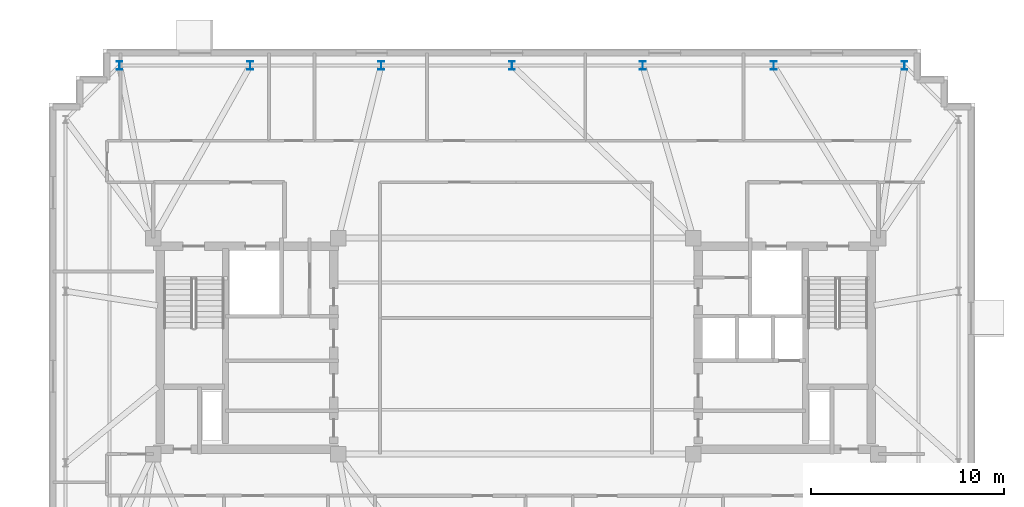
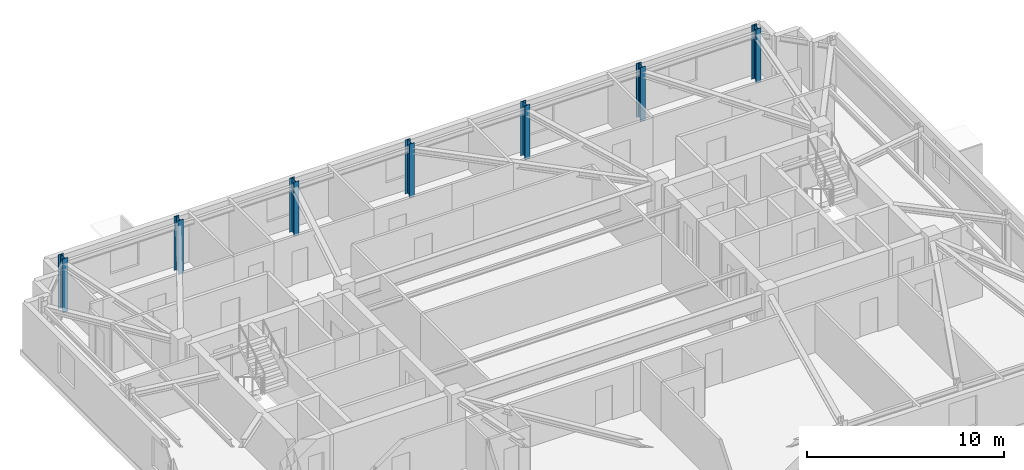
# One storey, part 3 of 11: 7 columns.
"""IFC4 building model written with IfcOpenShell, lengths in metres."""

import ifcopenshell
import ifcopenshell.guid

model = None  # the IFC model being written
_history = None  # IfcOwnerHistory: only IFC2X3 demands one
_inside = {}  # id of a spatial element -> (the spatial element, [elements in it])
_under = {}  # id of a project, library or spatial element -> (it, [spatial elements below it])
_declared = {}  # id of a project -> (the project, [libraries it declares])
_typed = {}  # id of a type object -> (the type object, [elements of that type])
_made_of = {}  # id of a material, layer set ... -> (it, [elements and type objects made of it])


def new_model(schema):
    """Start an empty IFC model of exactly this schema.

    Asked for "IFC4X3", IfcOpenShell would pick the latest addendum, in which some entities
    have other attributes; the version numbers below select the first issue.
    IFC2X3 requires an IfcOwnerHistory on every rooted entity: one is made here for all.
    """
    global model, _history
    if schema == "IFC4X3":
        model = ifcopenshell.file(schema_version=(4, 3, 0, 0))
    else:
        model = ifcopenshell.file(schema=schema)
    _inside.clear()
    _under.clear()
    _declared.clear()
    _typed.clear()
    _made_of.clear()
    _history = None
    if model.schema == "IFC2X3":
        org = make("IfcOrganization", Name="unknown")
        user = make(
            "IfcPersonAndOrganization",
            ThePerson=make("IfcPerson", FamilyName="unknown"),
            TheOrganization=org,
        )
        app = make(
            "IfcApplication",
            ApplicationDeveloper=org,
            Version="unknown",
            ApplicationFullName="unknown",
            ApplicationIdentifier="unknown",
        )
        _history = make(
            "IfcOwnerHistory",
            OwningUser=user,
            OwningApplication=app,
            ChangeAction="ADDED",
            CreationDate=0,
        )
    return model


def make(cls, **values):
    """One entity of the class cls with the attributes given. An attribute that is None is left unset."""
    return model.create_entity(
        cls, **{name: value for name, value in values.items() if value is not None}
    )


def rooted(cls, **values):
    """An entity with a GlobalId (a new one), such as an element, a storey or a relation."""
    return make(cls, GlobalId=ifcopenshell.guid.new(), OwnerHistory=_history, **values)


def si_unit(unit_type, name, prefix=None):
    """IfcSIUnit, for example si_unit("LENGTHUNIT", "METRE", prefix="MILLI")."""
    return make("IfcSIUnit", UnitType=unit_type, Prefix=prefix, Name=name)


def assignment(units):
    """IfcUnitAssignment: the units of a project."""
    return None if units is None else make("IfcUnitAssignment", Units=units)


def point(xyz):
    """IfcCartesianPoint."""
    return None if xyz is None else make("IfcCartesianPoint", Coordinates=xyz)


def direction(xyz):
    """IfcDirection."""
    return None if xyz is None else make("IfcDirection", DirectionRatios=xyz)


def frame(location, z_axis=None, x_axis=None):
    """IfcAxis2Placement3D, a coordinate frame: its origin and axes. An axis left out is left unset."""
    return make(
        "IfcAxis2Placement3D",
        Location=point(location),
        Axis=direction(z_axis),
        RefDirection=direction(x_axis),
    )


def frame_2d(location, x_axis=None):
    """IfcAxis2Placement2D, a coordinate frame in the plane: its origin and x axis."""
    return make(
        "IfcAxis2Placement2D", Location=point(location), RefDirection=direction(x_axis)
    )


def origin():
    """The frame at (0, 0, 0) with its axes left unset."""
    return frame((0.0, 0.0, 0.0))


def origin_2d():
    """The frame at (0, 0) in the plane with its x axis left unset."""
    return frame_2d((0.0, 0.0))


def place(relative_to, where):
    """IfcLocalPlacement: puts the frame where relative to a parent placement (None: the world)."""
    return make(
        "IfcLocalPlacement", PlacementRelTo=relative_to, RelativePlacement=where
    )


def context(
    kind, dimensions, precision=None, world=None, true_north=None, identifier=None
):
    """IfcGeometricRepresentationContext, for example the 3D "Model" context."""
    return make(
        "IfcGeometricRepresentationContext",
        ContextIdentifier=identifier,
        ContextType=kind,
        CoordinateSpaceDimension=dimensions,
        Precision=precision,
        WorldCoordinateSystem=world,
        TrueNorth=true_north,
    )


def subcontext(parent, identifier, kind, view, scale=None):
    """IfcGeometricRepresentationSubContext, for example "Body" below "Model"."""
    return make(
        "IfcGeometricRepresentationSubContext",
        ContextIdentifier=identifier,
        ContextType=kind,
        ParentContext=parent,
        TargetScale=scale,
        TargetView=view,
    )


def project(units=None, contexts=None):
    """IfcProject with its units and contexts."""
    return rooted(
        "IfcProject",
        Name="project",
        RepresentationContexts=contexts,
        UnitsInContext=assignment(units),
    )


def spatial(cls, under=None, at=None, **own):
    """A site, building, storey or space (cls), placed at a placement, below another one or the project."""
    s = rooted(cls, ObjectPlacement=at, **own)
    if under is not None:
        _under.setdefault(under.id(), (under, []))[1].append(s)
    return s


def profile(cls, at=None, kind="AREA", **sizes):
    """A parametric profile (cls). Its sizes go by their IFC names, for example OverallWidth=200.0."""
    return make(cls, ProfileType=kind, Position=at, **sizes)


def i_section(**sizes):
    """IfcIShapeProfileDef."""
    return profile("IfcIShapeProfileDef", **sizes)


def extrude(swept, where, along, depth):
    """IfcExtrudedAreaSolid: the profile swept, set in the frame where, extruded along a direction by depth."""
    return make(
        "IfcExtrudedAreaSolid",
        SweptArea=swept,
        Position=where,
        ExtrudedDirection=direction(along),
        Depth=depth,
    )


def shape(context_of_items, identifier, shape_type, items):
    """IfcShapeRepresentation: the items that make up one representation, for example the "Body"."""
    return make(
        "IfcShapeRepresentation",
        ContextOfItems=context_of_items,
        RepresentationIdentifier=identifier,
        RepresentationType=shape_type,
        Items=items,
    )


def material(Name=None, Category=None):
    """IfcMaterial."""
    return make("IfcMaterial", Name=Name, Category=Category)


def material_profile(
    of_material, cross_section, Name=None, Category=None, Priority=None
):
    """IfcMaterialProfile: a cross section and its material."""
    return make(
        "IfcMaterialProfile",
        Name=Name,
        Material=of_material,
        Profile=cross_section,
        Priority=Priority,
        Category=Category,
    )


def profile_set(profiles, Name=None, composite=None):
    """IfcMaterialProfileSet."""
    return make(
        "IfcMaterialProfileSet",
        Name=Name,
        MaterialProfiles=profiles,
        CompositeProfile=composite,
    )


def made_of(thing, what):
    """Note that an element or type object is made of a material, layer set ...; save() writes the relation."""
    if what is not None:
        _made_of.setdefault(what.id(), (what, []))[1].append(thing)
    return thing


def type_object(cls, material=None, **own):
    """A type object (cls), such as IfcWallType, which elements share."""
    return made_of(rooted(cls, **own), material)


def element(
    cls,
    number,
    at=None,
    inside=None,
    cuts=None,
    type_object=None,
    material=None,
    context=None,
    identifier="Body",
    shape_type=None,
    held_by="IfcProductDefinitionShape",
    body=None,
    shapes=None,
    **own,
):
    """One element of the class cls, such as IfcWall. Its Tag is "e" and its number.

    at: its placement. inside: the storey or other place that contains it. cuts: it is an
    opening in that element (IfcRelVoidsElement). A single representation is given by context,
    identifier, shape_type and body (its items); several are given by shapes. held_by: the class
    of the entity that holds the representations. save() writes the other relations.
    """
    e = rooted(cls, Tag="e%d" % number, ObjectPlacement=at, **own)
    if body is not None:
        shapes = [shape(context, identifier, shape_type, body)]
    if shapes is not None:
        e.Representation = make(held_by, Representations=shapes)
    if inside is not None:
        _inside.setdefault(inside.id(), (inside, []))[1].append(e)
    if cuts is not None:
        rooted(
            "IfcRelVoidsElement", RelatingBuildingElement=cuts, RelatedOpeningElement=e
        )
    if type_object is not None:
        _typed.setdefault(type_object.id(), (type_object, []))[1].append(e)
    return made_of(e, material)


def aggregate(whole, parts):
    """IfcRelAggregates: a whole, such as a stair, and the parts it consists of."""
    return rooted("IfcRelAggregates", RelatingObject=whole, RelatedObjects=parts)


def save(model, path):
    """Write the relations noted so far, then the file.

    IfcRelAggregates (storeys below a building ...), IfcRelContainedInSpatialStructure (elements
    in a storey), IfcRelDefinesByType, IfcRelAssociatesMaterial and IfcRelDeclares: one each for
    every whole, place, type object, material and project.
    """
    for whole, parts in _under.values():
        aggregate(whole, parts)
    for where, things in _inside.values():
        rooted(
            "IfcRelContainedInSpatialStructure",
            RelatedElements=things,
            RelatingStructure=where,
        )
    for kind, things in _typed.values():
        rooted("IfcRelDefinesByType", RelatedObjects=things, RelatingType=kind)
    for what, things in _made_of.values():
        rooted("IfcRelAssociatesMaterial", RelatedObjects=things, RelatingMaterial=what)
    for by, libraries in _declared.values():
        rooted("IfcRelDeclares", RelatingContext=by, RelatedDefinitions=libraries)
    model.write(path)


model = new_model("IFC4")

# Units and contexts
model_context = context("Model", 3, precision=1e-05, world=origin(), true_north=direction((0.0, 1.0)))
body_context = subcontext(model_context, "Body", "Model", "MODEL_VIEW")
ifc_project = project(units=[si_unit("LENGTHUNIT", "METRE"), si_unit("AREAUNIT", "SQUARE_METRE"), si_unit("VOLUMEUNIT", "CUBIC_METRE"), si_unit("PLANEANGLEUNIT", "RADIAN"), si_unit("MASSUNIT", "GRAM", prefix="KILO")], contexts=[model_context])

# Site, building, storey
site_placement = place(None, origin())
site = spatial("IfcSite", under=ifc_project, at=site_placement, CompositionType="ELEMENT")
building_placement = place(site_placement, origin())
building = spatial("IfcBuilding", under=site, at=building_placement, Name="Qobustan Lattice House", CompositionType="ELEMENT")
storey_placement = place(building_placement, frame((0.0, 0.0, 258.449951171875)))
storey = spatial("IfcBuildingStorey", under=building, at=storey_placement, Name="L73", CompositionType="ELEMENT", Elevation=258.449951171875)

# Columns
ifc_material = material(Name="Steel S355", Category="steel")
ifc_material_profile = material_profile(ifc_material, i_section(OverallWidth=0.300048828125, OverallDepth=0.449951171875, WebThickness=0.013916015625, FlangeThickness=0.02587890625, FilletRadius=0.027099609375, at=origin_2d()), Name="HEB450")
ifc_profile_set = profile_set([ifc_material_profile], Name="Steel S355")
column_type = type_object("IfcColumnType", Name="COL-ST-HEB450", PredefinedType="COLUMN", material=ifc_profile_set)
for number, where, z_axis, x_axis, name in (
    (1, (20.14990234375, 14.550048828125, 0.0), (0.0, 0.0, 1.0), (1.0, 0.0, 0.0), "L73 B5 perimeter column N1"),
    (2, (13.36669921875, 14.550048828125, 0.0), (0.0, 0.0, 1.0), (1.0, 0.0, 0.0), "L73 B5 perimeter column N2"),
    (3, (6.583251953125, 14.550048828125, 0.0), (0.0, 0.0, 1.0), (1.0, 0.0, 0.0), "L73 B5 perimeter column N3"),
    (4, (-0.199951171875, 14.550048828125, 0.0), (0.0, 0.0, 1.0), (1.0, 0.0, 0.0), "L73 B5 perimeter column N4"),
    (5, (-6.9833984375, 14.550048828125, 0.0), (0.0, 0.0, 1.0), (1.0, 0.0, 0.0), "L73 B5 perimeter column N5"),
    (6, (-13.7666015625, 14.550048828125, 0.0), (0.0, 0.0, 1.0), (1.0, 0.0, 0.0), "L73 B5 perimeter column N6"),
    (7, (-20.550048828125, 14.550048828125, 0.0), (0.0, 0.0, 1.0), (1.0, 0.0, 0.0), "L73 B5 perimeter column N7"),
):
    element("IfcColumn", number, at=place(storey_placement, frame(where, z_axis=z_axis, x_axis=x_axis)), inside=storey, type_object=column_type, Name=name, PredefinedType="COLUMN", context=body_context, shape_type="SweptSolid", body=[
        extrude(i_section(OverallWidth=0.300048828125, OverallDepth=0.449951171875, WebThickness=0.013916015625, FlangeThickness=0.02587890625, FilletRadius=0.027099609375, at=origin_2d()), origin(), (0.0, 0.0, 1.0), 3.35009765625),
    ])

save(model, "model.ifc")
